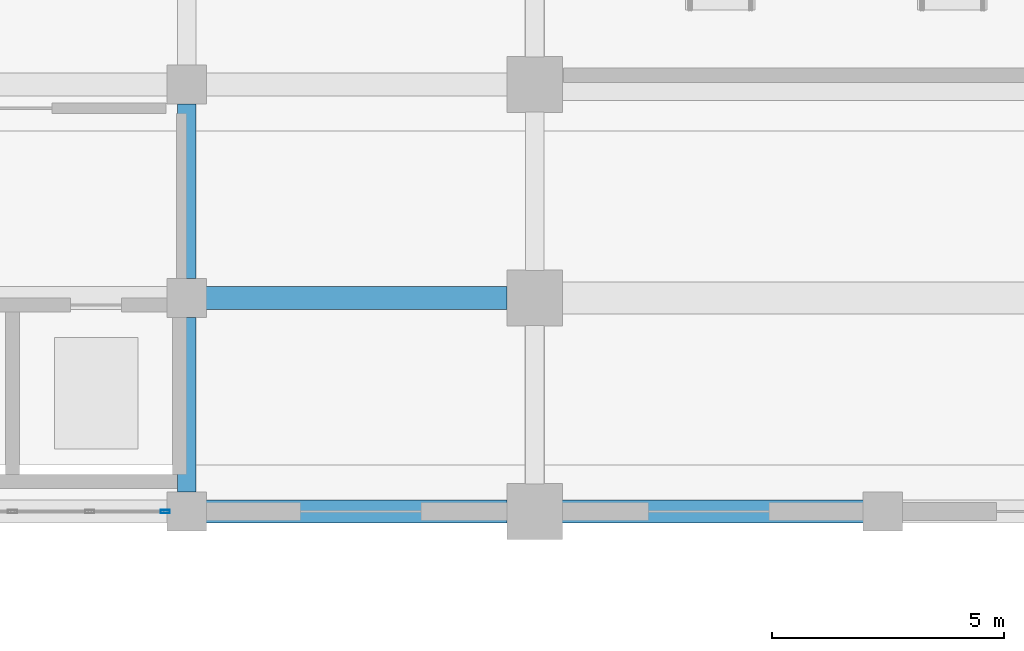
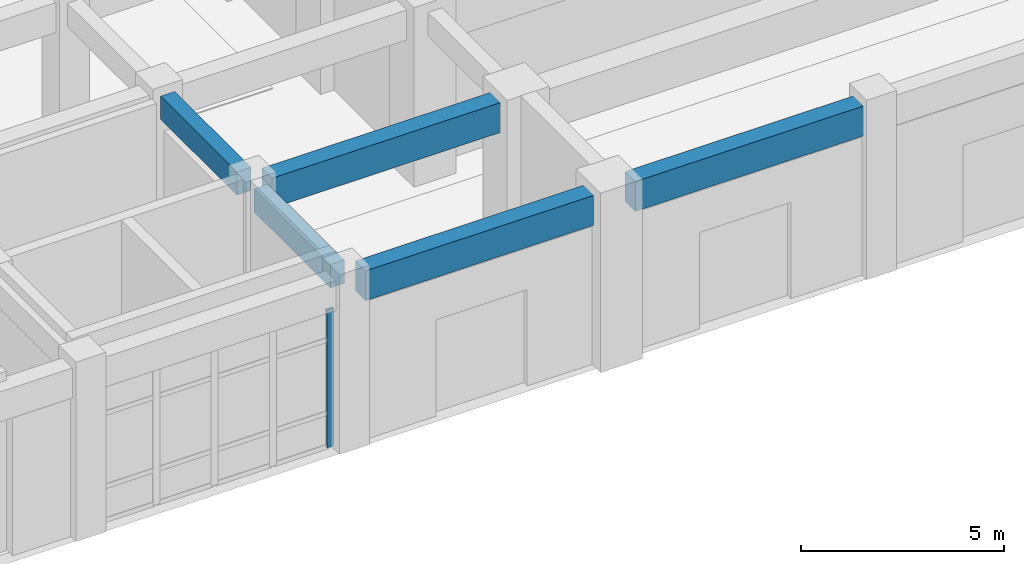
# One storey, part 26 of 84: 5 beams, 1 member, 1 element without a shape of its own.
"""IFC4 building model written with IfcOpenShell, lengths in metres."""

from ifc_helpers import new_model, si_unit, direction, frame, origin, origin_2d, place, context, subcontext, project, spatial, rectangle, hollow_rectangle, extrude, material, layer, layer_set, material_profile, profile_set, type_object, element, aggregate, save


model = new_model("IFC4")

# Units and contexts
model_context = context("Model", 3, precision=1e-05, world=origin(), true_north=direction((0.0, 1.0)))
body_context = subcontext(model_context, "Body", "Model", "MODEL_VIEW")
ifc_project = project(units=[si_unit("LENGTHUNIT", "METRE"), si_unit("AREAUNIT", "SQUARE_METRE"), si_unit("VOLUMEUNIT", "CUBIC_METRE"), si_unit("PLANEANGLEUNIT", "RADIAN"), si_unit("MASSUNIT", "GRAM", prefix="KILO")], contexts=[model_context])

# Site, building, storey
site_placement = place(None, origin())
site = spatial("IfcSite", under=ifc_project, at=site_placement, CompositionType="ELEMENT")
building_placement = place(site_placement, origin())
building = spatial("IfcBuilding", under=site, at=building_placement, Name="Muzn Square Opera House", CompositionType="ELEMENT")
storey_placement = place(building_placement, origin())
storey = spatial("IfcBuildingStorey", under=building, at=storey_placement, Name="L00", CompositionType="ELEMENT", Elevation=0.0)

# Curtain wall, member
ifc_material_1 = material(Name="Low-E laminated acoustic double glazing", Category="glass")
ifc_layer = layer(ifc_material_1, 0.159912109375, Name="Low-E laminated acoustic double glazing", Category="glass")
ifc_layer_set = layer_set([ifc_layer], Name="Low-E laminated acoustic double glazing")
curtain_wall_type = type_object("IfcCurtainWallType", Name="Glazed Curtain Wall Forecourt 6650x4150", PredefinedType="USERDEFINED", material=ifc_layer_set)
curtain_wall_placement = place(storey_placement, origin())
curtain_wall = element("IfcCurtainWall", 1, at=curtain_wall_placement, inside=storey, type_object=curtain_wall_type, Name="Glazed Curtain Wall CW-L00-001", ObjectType="GLAZED CURTAIN WALL", PredefinedType="USERDEFINED")
ifc_material_2 = material(Name="Anodised bronze aluminium 6063-T6", Category="metal")
ifc_material_profile_1 = material_profile(ifc_material_2, hollow_rectangle(XDim=0.070068359375, YDim=0.199951171875, WallThickness=0.0048828125, at=origin_2d()), Name="ALU 200x70x5", Category="metal")
ifc_profile_set_1 = profile_set([ifc_material_profile_1], Name="Anodised bronze aluminium 6063-T6")
member_type = type_object("IfcMemberType", Name="Curtain Wall Mullion 200x70", PredefinedType="MULLION", material=ifc_profile_set_1)
member_placement = place(storey_placement, frame((65.0400390625, 22.0, 0.0), z_axis=(0.0, 0.0, 1.0), x_axis=(0.0, 1.0, 0.0)))
member = element("IfcMember", 2, at=member_placement, type_object=member_type, Name="CW-FC-66x41 mullion 5", PredefinedType="MULLION", context=body_context, shape_type="SweptSolid", body=[
    extrude(hollow_rectangle(XDim=0.070068359375, YDim=0.199951171875, WallThickness=0.0048828125, at=origin_2d()), origin(), (0.0, 0.0, 1.0), 4.14990234375),
])
aggregate(curtain_wall, [member])

# Beams
ifc_material_3 = material(Name="Concrete C40/50", Category="concrete")
ifc_material_profile_2 = material_profile(ifc_material_3, rectangle(XDim=0.39990234375, YDim=0.699951171875, at=origin_2d()), Name="RCB 400x700", Category="concrete")
ifc_profile_set_2 = profile_set([ifc_material_profile_2], Name="Concrete C40/50")
beam_type_1 = type_object("IfcBeamType", Name="Primary Girder 400x700", PredefinedType="BEAM", material=ifc_profile_set_2)
beam_1_placement = place(storey_placement, frame((65.5, 22.4169921875, 4.77001953125), z_axis=(0.0, 1.0, 0.0), x_axis=(-1.0, 0.0, 0.0)))
element("IfcBeam", 3, at=beam_1_placement, inside=storey, type_object=beam_type_1, Name="Primary Girder BM-L00-BM-PG700-655_224_655_262-1050", PredefinedType="BEAM", context=body_context, shape_type="SweptSolid", body=[
    extrude(rectangle(XDim=0.39990234375, YDim=0.699951171875, at=origin_2d()), origin(), (0.0, 0.0, 1.0), 3.76611328125),
])
beam_2_placement = place(storey_placement, frame((65.5, 27.01708984375, 4.77001953125), z_axis=(0.0, 1.0, 0.0), x_axis=(-1.0, 0.0, 0.0)))
element("IfcBeam", 4, at=beam_2_placement, inside=storey, type_object=beam_type_1, Name="Primary Girder BM-L00-BM-PG700-655_270_655_308-1051", PredefinedType="BEAM", context=body_context, shape_type="SweptSolid", body=[
    extrude(rectangle(XDim=0.39990234375, YDim=0.699951171875, at=origin_2d()), origin(), (0.0, 0.0, 1.0), 3.765869140625),
])
ifc_material_profile_3 = material_profile(ifc_material_3, rectangle(XDim=0.5, YDim=0.89990234375, at=origin_2d()), Name="RCB 500x900", Category="concrete")
ifc_profile_set_3 = profile_set([ifc_material_profile_3], Name="Concrete C40/50")
beam_type_2 = type_object("IfcBeamType", Name="Primary Girder 500x900", PredefinedType="BEAM", material=ifc_profile_set_3)
for number, where, z_axis, x_axis, name in (
    (5, (65.9169921875, 22.0, 4.669921875), (1.0, 0.0, 0.0), (0.0, 1.0, 0.0), "Primary Girder BM-L00-BM-PG900-659_220_724_220-762"),
    (6, (73.592041015625, 22.0, 4.669921875), (1.0, 0.0, 0.0), (0.0, 1.0, 0.0), "Primary Girder BM-L00-BM-PG900-736_220_801_220-763"),
    (7, (65.9169921875, 26.60009765625, 4.669921875), (1.0, 0.0, 0.0), (0.0, 1.0, 0.0), "Primary Girder BM-L00-BM-PG900-659_266_724_266-780"),
):
    element("IfcBeam", number, at=place(storey_placement, frame(where, z_axis=z_axis, x_axis=x_axis)), inside=storey, type_object=beam_type_2, Name=name, PredefinedType="BEAM", context=body_context, shape_type="SweptSolid", body=[
        extrude(rectangle(XDim=0.5, YDim=0.89990234375, at=origin_2d()), origin(), (0.0, 0.0, 1.0), 6.490966796875),
    ])

save(model, "model.ifc")
